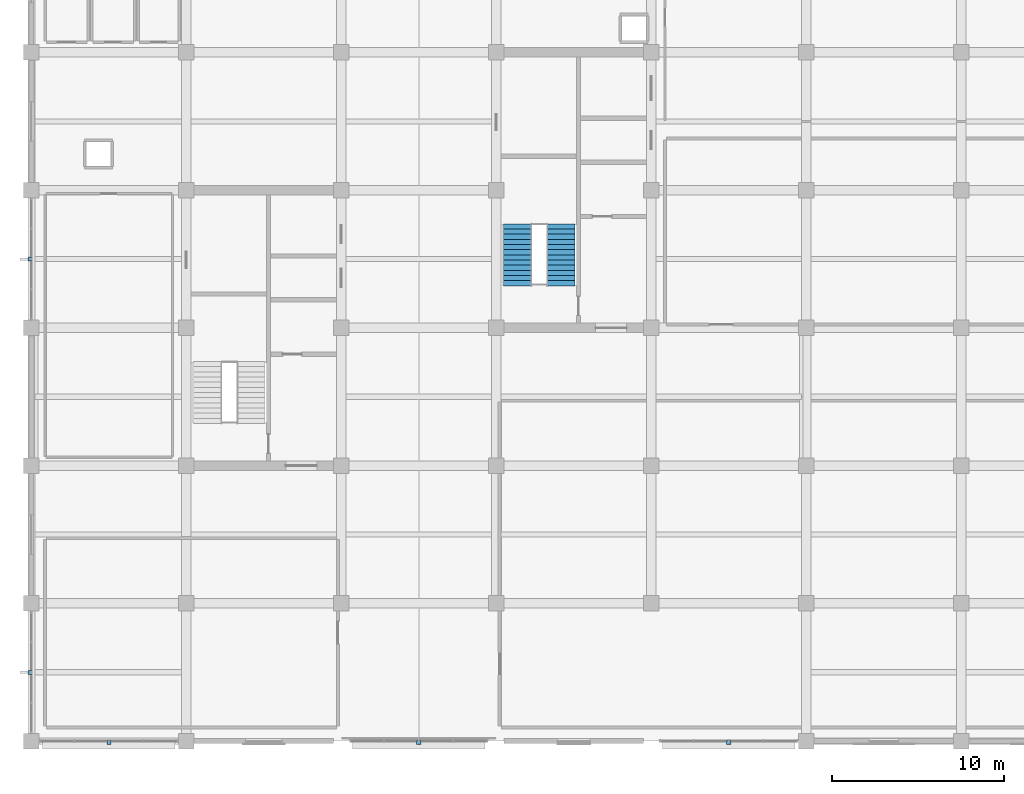
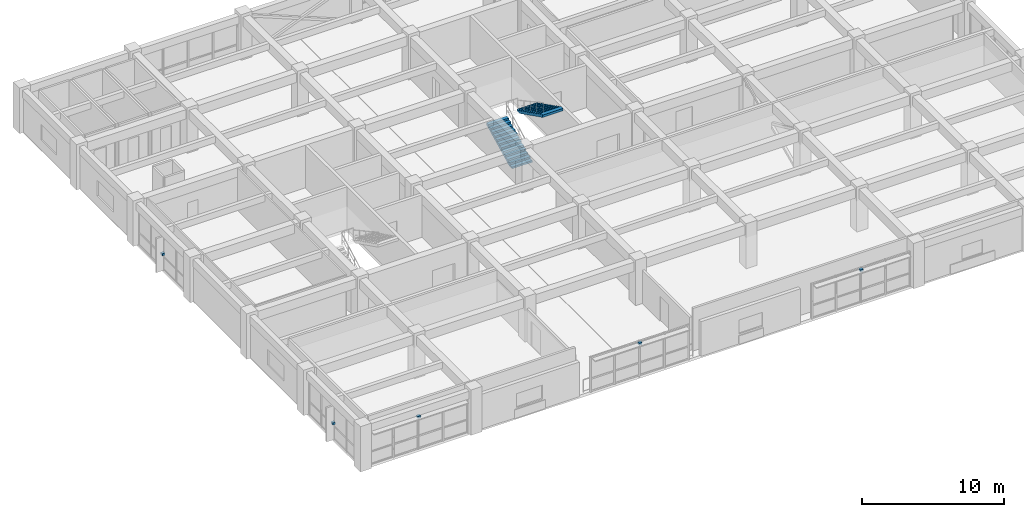
# One storey, part 15 of 16: 5 discrete accessories, 2 stair flights, 1 element without a shape of its own.
"""IFC4 building model written with IfcOpenShell, lengths in metres."""

from ifc_helpers import new_model, si_unit, direction, frame, origin, origin_2d, place, context, subcontext, project, spatial, polyline, rectangle, outline, extrude, material, layer, layer_set, type_object, element, aggregate, save


model = new_model("IFC4")

# Units and contexts
model_context = context("Model", 3, precision=1e-05, world=origin(), true_north=direction((0.0, 1.0)))
body_context = subcontext(model_context, "Body", "Model", "MODEL_VIEW")
ifc_project = project(units=[si_unit("LENGTHUNIT", "METRE"), si_unit("AREAUNIT", "SQUARE_METRE"), si_unit("VOLUMEUNIT", "CUBIC_METRE"), si_unit("PLANEANGLEUNIT", "RADIAN"), si_unit("MASSUNIT", "GRAM", prefix="KILO")], contexts=[model_context])

# Site, building, storey
site_placement = place(None, origin())
site = spatial("IfcSite", under=ifc_project, at=site_placement, CompositionType="ELEMENT")
building_placement = place(site_placement, origin())
building = spatial("IfcBuilding", under=site, at=building_placement, Name="Zaverband Oceanarium and Marine Research Institute", CompositionType="ELEMENT")
storey_placement = place(building_placement, frame((0.0, 0.0, 29.699951171875)))
storey = spatial("IfcBuildingStorey", under=building, at=storey_placement, Name="L07", CompositionType="ELEMENT", Elevation=29.699951171875)

# Stair, stair flights
ifc_material_1 = material(Name="Concrete C40/50", Category="concrete")
stair_type = type_object("IfcStairType", Name="STR-TWR-1650-3900", PredefinedType="HALF_TURN_STAIR", material=ifc_material_1)
stair_placement = place(storey_placement, origin())
stair = element("IfcStair", 1, at=stair_placement, inside=storey, type_object=stair_type, Name="Exit Stair ST-02 (L07)", PredefinedType="HALF_TURN_STAIR")
stair_flight_type = type_object("IfcStairFlightType", Name="STR-TWR-1650-3900-FL", PredefinedType="STRAIGHT", material=ifc_material_1)
stair_flight_1_placement = place(storey_placement, frame((37.2548828125, 90.449951171875, 0.0), z_axis=(0.0, 0.0, 1.0), x_axis=(0.0, 1.0, 0.0)))
stair_flight_1 = element("IfcStairFlight", 2, at=stair_flight_1_placement, type_object=stair_flight_type, Name="Reinforced concrete stair flight ST-02-F1", NumberOfRisers=13, NumberOfTreads=12, PredefinedType="STRAIGHT", RiserHeight=0.15, TreadLength=0.3, context=body_context, shape_type="SweptSolid", body=[
    extrude(outline(polyline([(0.0, 0.0), (0.0, 0.14990234375), (0.300048828125, 0.14990234375), (0.300048828125, 0.300048828125), (0.60009765625, 0.300048828125), (0.60009765625, 0.449951171875), (0.89990234375, 0.449951171875), (0.89990234375, 0.60009765625), (1.199951171875, 0.60009765625), (1.199951171875, 0.75), (1.5, 0.75), (1.5, 0.89990234375), (1.800048828125, 0.89990234375), (1.800048828125, 1.050048828125), (2.10009765625, 1.050048828125), (2.10009765625, 1.199951171875), (2.39990234375, 1.199951171875), (2.39990234375, 1.35009765625), (2.699951171875, 1.35009765625), (2.699951171875, 1.5), (3.0, 1.5), (3.0, 1.64990234375), (3.300048828125, 1.64990234375), (3.300048828125, 1.800048828125), (3.60009765625, 1.800048828125), (3.60009765625, 1.949951171875), (3.60009765625, 1.598876953125), (0.40234375, 0.0), (0.0, 0.0)])), frame((0.0, 0.824951171875, 0.0), z_axis=(0.0, -1.0, 0.0), x_axis=(1.0, 0.0, 0.0)), (0.0, 0.0, 1.0), 1.64990234375),
])
stair_flight_2_placement = place(storey_placement, frame((39.7451171875, 94.050048828125, 1.949951171875), z_axis=(0.0, 0.0, 1.0), x_axis=(0.0, -1.0, 0.0)))
stair_flight_2 = element("IfcStairFlight", 3, at=stair_flight_2_placement, type_object=stair_flight_type, Name="Reinforced concrete stair flight ST-02-F2", NumberOfRisers=13, NumberOfTreads=12, PredefinedType="STRAIGHT", RiserHeight=0.15, TreadLength=0.3, context=body_context, shape_type="SweptSolid", body=[
    extrude(outline(polyline([(0.0, 0.0), (0.0, 0.14990234375), (0.300048828125, 0.14990234375), (0.300048828125, 0.300048828125), (0.60009765625, 0.300048828125), (0.60009765625, 0.449951171875), (0.89990234375, 0.449951171875), (0.89990234375, 0.60009765625), (1.199951171875, 0.60009765625), (1.199951171875, 0.75), (1.5, 0.75), (1.5, 0.89990234375), (1.800048828125, 0.89990234375), (1.800048828125, 1.050048828125), (2.10009765625, 1.050048828125), (2.10009765625, 1.199951171875), (2.39990234375, 1.199951171875), (2.39990234375, 1.35009765625), (2.699951171875, 1.35009765625), (2.699951171875, 1.5), (3.0, 1.5), (3.0, 1.64990234375), (3.300048828125, 1.64990234375), (3.300048828125, 1.800048828125), (3.60009765625, 1.800048828125), (3.60009765625, 1.949951171875), (3.60009765625, 1.598876953125), (0.40234375, 0.0), (0.0, 0.0)])), frame((0.0, 0.824951171875, 0.0), z_axis=(0.0, -1.0, 0.0), x_axis=(1.0, 0.0, 0.0)), (0.0, 0.0, 1.0), 1.64990234375),
])
aggregate(stair, [stair_flight_1, stair_flight_2])

# Discrete accessories
ifc_material_2 = material(Name="Steel S355", Category="steel")
ifc_layer = layer(ifc_material_2, 0.179931640625, Name="Steel S355")
ifc_layer_set = layer_set([ifc_layer], Name="Steel S355")
discrete_accessory_type = type_object("IfcDiscreteAccessoryType", Name="BRK-STL-200", PredefinedType="BRACKET", material=ifc_layer_set)
for number, where, z_axis, x_axis, name in (
    (4, (13.5, 63.919921875, 2.75), (0.0, 0.0, 1.0), (1.0, 0.0, 0.0), "Galvanized steel facade fin structural bracket BRK-STL-200"),
    (5, (31.5, 63.919921875, 2.75), (0.0, 0.0, 1.0), (1.0, 0.0, 0.0), "Galvanized steel facade fin structural bracket BRK-STL-200"),
    (6, (49.5, 63.919921875, 2.75), (0.0, 0.0, 1.0), (1.0, 0.0, 0.0), "Galvanized steel facade fin structural bracket BRK-STL-200"),
    (7, (8.919921875, 68.0, 1.3203125), (0.0, 0.0, 1.0), (1.0, 0.0, 0.0), "Galvanized steel facade fin structural bracket BRK-STL-200"),
    (8, (8.919921875, 92.0, 1.3203125), (0.0, 0.0, 1.0), (1.0, 0.0, 0.0), "Galvanized steel facade fin structural bracket BRK-STL-200"),
):
    element("IfcDiscreteAccessory", number, at=place(storey_placement, frame(where, z_axis=z_axis, x_axis=x_axis)), inside=storey, type_object=discrete_accessory_type, Name=name, PredefinedType="BRACKET", context=body_context, shape_type="SweptSolid", body=[
        extrude(rectangle(XDim=0.239990234375, YDim=0.239990234375, at=origin_2d()), origin(), (0.0, 0.0, 1.0), 0.179931640625),
    ])

save(model, "model.ifc")
